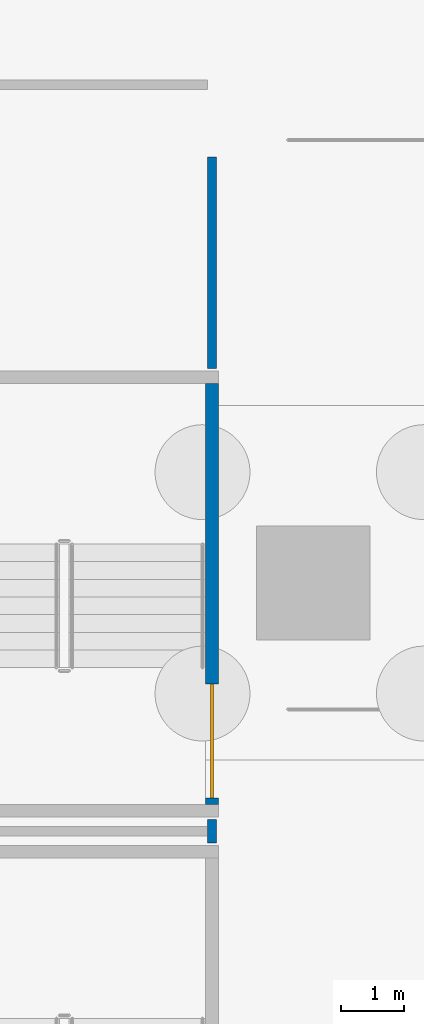
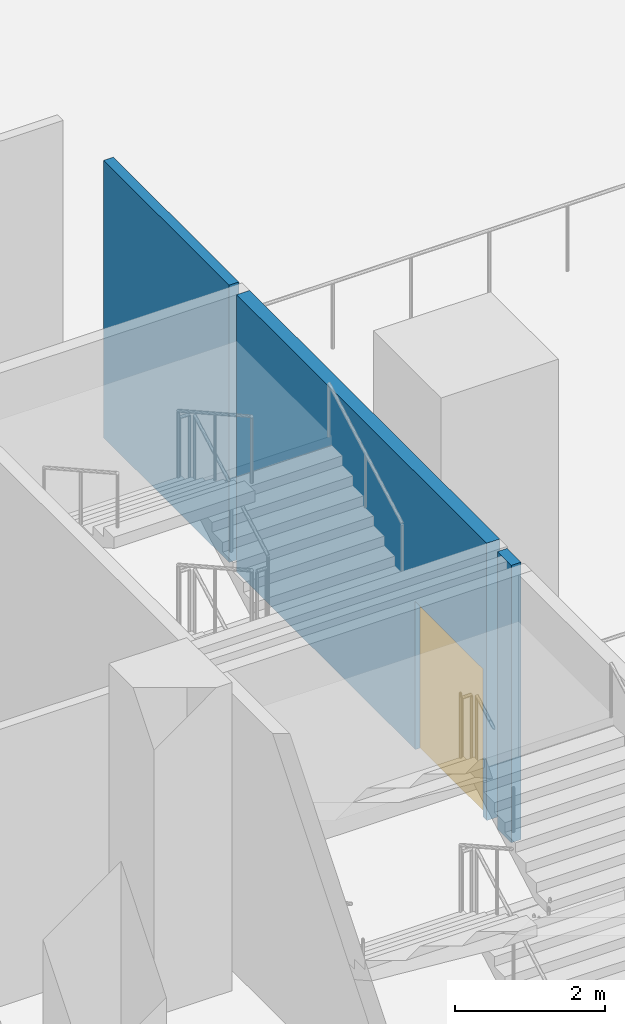
# One storey, part 5 of 27: 3 walls, 1 door, 1 opening.
"""IFC4 building model written with IfcOpenShell, lengths in metres."""

from ifc_helpers import new_model, si_unit, direction, frame, frame_2d, origin, place, context, subcontext, project, spatial, rectangle, extrude, material, layer, layer_set, type_object, element, fill, save


model = new_model("IFC4")

# Units and contexts
model_context = context("Model", 3, precision=1e-05, world=origin(), true_north=direction((0.0, 1.0)))
body_context = subcontext(model_context, "Body", "Model", "MODEL_VIEW")
ifc_project = project(units=[si_unit("LENGTHUNIT", "METRE"), si_unit("AREAUNIT", "SQUARE_METRE"), si_unit("VOLUMEUNIT", "CUBIC_METRE"), si_unit("PLANEANGLEUNIT", "RADIAN"), si_unit("MASSUNIT", "GRAM", prefix="KILO")], contexts=[model_context])

# Site, building, storey
site_placement = place(None, origin())
site = spatial("IfcSite", under=ifc_project, at=site_placement, CompositionType="ELEMENT")
building_placement = place(site_placement, origin())
building = spatial("IfcBuilding", under=site, at=building_placement, Name="Calabash Gate Tower", CompositionType="ELEMENT")
storey_placement = place(building_placement, frame((0.0, 0.0, -10.0)))
storey = spatial("IfcBuildingStorey", under=building, at=storey_placement, Name="B2", CompositionType="ELEMENT", Elevation=-10.0)

# Walls
ifc_material_1 = material(Name="Gypsum board on steel studs, mineral wool", Category="steel")
ifc_layer_1 = layer(ifc_material_1, 0.14990234375)
ifc_layer_set_1 = layer_set([ifc_layer_1], Name="Partition 150 gypsum board")
wall_type_1 = type_object("IfcWallType", Name="Partition 150 gypsum board", PredefinedType="PARTITIONING", material=ifc_layer_set_1)
wall_1_placement = place(storey_placement, frame((-33.60009765625, -28.110107421875, 0.0), z_axis=(0.0, 0.0, 1.0), x_axis=(0.0, 1.0, 0.0)))
element("IfcWall", 1, at=wall_1_placement, inside=storey, type_object=wall_type_1, Name="Partition", PredefinedType="PARTITIONING", context=body_context, shape_type="SweptSolid", body=[
    extrude(rectangle(XDim=0.3701171875, YDim=0.14990234375, at=frame_2d((0.18505859375, 0.0))), origin(), (0.0, 0.0, 1.0), 4.5),
])
wall_2_placement = place(storey_placement, frame((-33.60009765625, -20.610107421875, 0.0), z_axis=(0.0, 0.0, 1.0), x_axis=(0.0, 1.0, 0.0)))
element("IfcWall", 2, at=wall_2_placement, inside=storey, type_object=wall_type_1, Name="Partition", PredefinedType="PARTITIONING", context=body_context, shape_type="SweptSolid", body=[
    extrude(rectangle(XDim=3.340087890625, YDim=0.14990234375, at=frame_2d((1.669921875, 0.0))), origin(), (0.0, 0.0, 1.0), 4.5),
])

# Wall, opening, door
ifc_material_2 = material(Name="Concrete C40/50", Category="concrete")
ifc_layer_2 = layer(ifc_material_2, 0.199951171875)
ifc_layer_set_2 = layer_set([ifc_layer_2], Name="Stair wall 200 Concrete C40/50")
wall_type_2 = type_object("IfcWallType", Name="Stair wall 200 Concrete C40/50", PredefinedType="SOLIDWALL", material=ifc_layer_set_2)
wall_3_placement = place(storey_placement, frame((-33.60009765625, -27.5, 0.0), z_axis=(0.0, 0.0, 1.0), x_axis=(0.0, 1.0, 0.0)))
wall_3 = element("IfcWall", 3, at=wall_3_placement, inside=storey, type_object=wall_type_2, Name="Stair wall", PredefinedType="SOLIDWALL", context=body_context, shape_type="SweptSolid", body=[
    extrude(rectangle(XDim=6.64990234375, YDim=0.199951171875, at=frame_2d((3.324951171875, 0.0))), origin(), (0.0, 0.0, 1.0), 4.5),
])
opening_placement = place(wall_3_placement, frame((0.10009765625, 0.0, 0.0)))
opening = element("IfcOpeningElement", 4, at=opening_placement, cuts=wall_3, Name="Opening B2-020", PredefinedType="OPENING", context=body_context, shape_type="SweptSolid", body=[
    extrude(rectangle(XDim=1.800048828125, YDim=2.39990234375, at=frame_2d((0.89990234375, 1.199951171875))), frame((0.0, 0.10986328125, 0.0), z_axis=(0.0, -1.0, 0.0), x_axis=(1.0, 0.0, 0.0)), (0.0, 0.0, 1.0), 0.219970703125),
])
ifc_material_3 = material(Name="Steel fire door set with fire-resisting glazing", Category="steel")
door_type = type_object("IfcDoorType", Name="Double fire door D16 1800x2400 FD90", OperationType="DOUBLE_DOOR_SINGLE_SWING", PredefinedType="DOOR", material=ifc_material_3)
door_placement = place(opening_placement, origin())
door = element("IfcDoor", 5, at=door_placement, inside=storey, type_object=door_type, Name="Exit stair door PS2", OperationType="DOUBLE_DOOR_SINGLE_SWING", OverallHeight=2.39990234375, OverallWidth=1.800048828125, PredefinedType="DOOR", context=body_context, shape_type="SweptSolid", body=[
    extrude(rectangle(XDim=1.800048828125, YDim=2.39990234375, at=frame_2d((0.89990234375, 1.199951171875))), frame((0.0, 0.02490234375, 0.0), z_axis=(0.0, -1.0, 0.0), x_axis=(1.0, 0.0, 0.0)), (0.0, 0.0, 1.0), 0.050048828125),
])
fill(opening, door)

save(model, "model.ifc")
